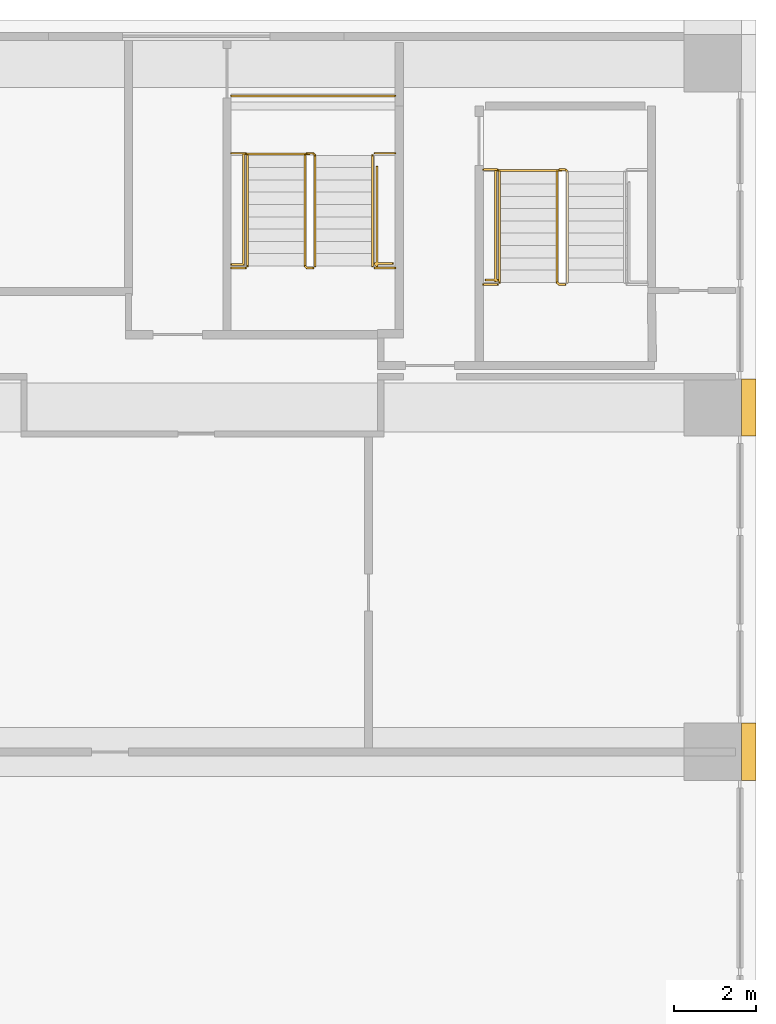
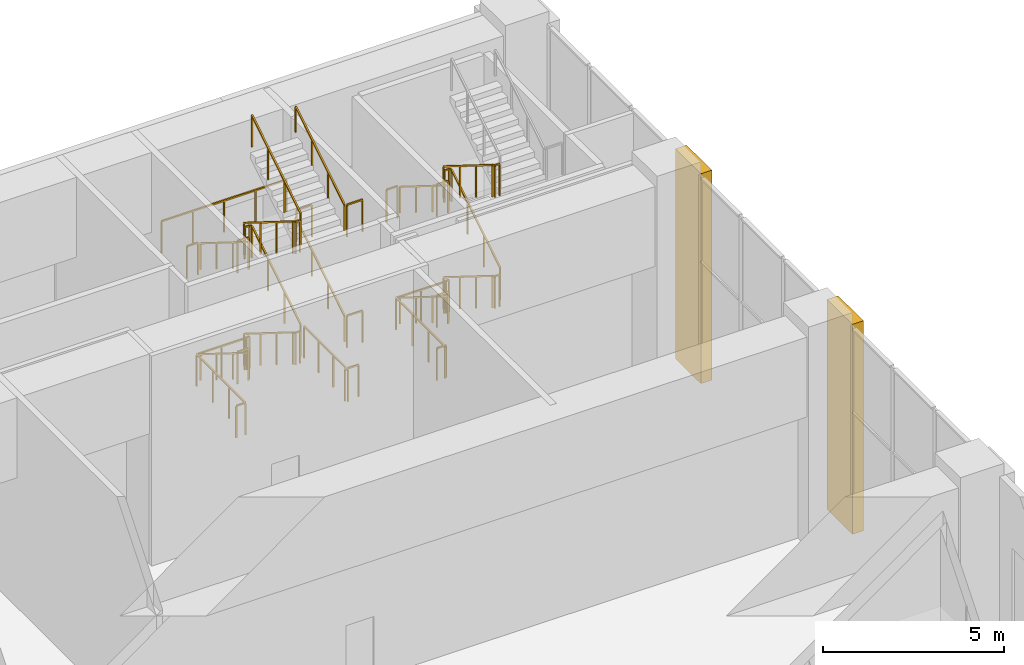
# One storey, part 28 of 29: 28 railings, 2 coverings.
"""IFC4 building model written with IfcOpenShell, lengths in metres."""

import ifcopenshell
import ifcopenshell.guid

model = None  # the IFC model being written
_history = None  # IfcOwnerHistory: only IFC2X3 demands one
_inside = {}  # id of a spatial element -> (the spatial element, [elements in it])
_under = {}  # id of a project, library or spatial element -> (it, [spatial elements below it])
_declared = {}  # id of a project -> (the project, [libraries it declares])
_typed = {}  # id of a type object -> (the type object, [elements of that type])
_made_of = {}  # id of a material, layer set ... -> (it, [elements and type objects made of it])


def new_model(schema):
    """Start an empty IFC model of exactly this schema.

    Asked for "IFC4X3", IfcOpenShell would pick the latest addendum, in which some entities
    have other attributes; the version numbers below select the first issue.
    IFC2X3 requires an IfcOwnerHistory on every rooted entity: one is made here for all.
    """
    global model, _history
    if schema == "IFC4X3":
        model = ifcopenshell.file(schema_version=(4, 3, 0, 0))
    else:
        model = ifcopenshell.file(schema=schema)
    _inside.clear()
    _under.clear()
    _declared.clear()
    _typed.clear()
    _made_of.clear()
    _history = None
    if model.schema == "IFC2X3":
        org = make("IfcOrganization", Name="unknown")
        user = make(
            "IfcPersonAndOrganization",
            ThePerson=make("IfcPerson", FamilyName="unknown"),
            TheOrganization=org,
        )
        app = make(
            "IfcApplication",
            ApplicationDeveloper=org,
            Version="unknown",
            ApplicationFullName="unknown",
            ApplicationIdentifier="unknown",
        )
        _history = make(
            "IfcOwnerHistory",
            OwningUser=user,
            OwningApplication=app,
            ChangeAction="ADDED",
            CreationDate=0,
        )
    return model


def make(cls, **values):
    """One entity of the class cls with the attributes given. An attribute that is None is left unset."""
    return model.create_entity(
        cls, **{name: value for name, value in values.items() if value is not None}
    )


def rooted(cls, **values):
    """An entity with a GlobalId (a new one), such as an element, a storey or a relation."""
    return make(cls, GlobalId=ifcopenshell.guid.new(), OwnerHistory=_history, **values)


def si_unit(unit_type, name, prefix=None):
    """IfcSIUnit, for example si_unit("LENGTHUNIT", "METRE", prefix="MILLI")."""
    return make("IfcSIUnit", UnitType=unit_type, Prefix=prefix, Name=name)


def assignment(units):
    """IfcUnitAssignment: the units of a project."""
    return None if units is None else make("IfcUnitAssignment", Units=units)


def point(xyz):
    """IfcCartesianPoint."""
    return None if xyz is None else make("IfcCartesianPoint", Coordinates=xyz)


def direction(xyz):
    """IfcDirection."""
    return None if xyz is None else make("IfcDirection", DirectionRatios=xyz)


def frame(location, z_axis=None, x_axis=None):
    """IfcAxis2Placement3D, a coordinate frame: its origin and axes. An axis left out is left unset."""
    return make(
        "IfcAxis2Placement3D",
        Location=point(location),
        Axis=direction(z_axis),
        RefDirection=direction(x_axis),
    )


def frame_2d(location, x_axis=None):
    """IfcAxis2Placement2D, a coordinate frame in the plane: its origin and x axis."""
    return make(
        "IfcAxis2Placement2D", Location=point(location), RefDirection=direction(x_axis)
    )


def origin():
    """The frame at (0, 0, 0) with its axes left unset."""
    return frame((0.0, 0.0, 0.0))


def origin_2d():
    """The frame at (0, 0) in the plane with its x axis left unset."""
    return frame_2d((0.0, 0.0))


def place(relative_to, where):
    """IfcLocalPlacement: puts the frame where relative to a parent placement (None: the world)."""
    return make(
        "IfcLocalPlacement", PlacementRelTo=relative_to, RelativePlacement=where
    )


def context(
    kind, dimensions, precision=None, world=None, true_north=None, identifier=None
):
    """IfcGeometricRepresentationContext, for example the 3D "Model" context."""
    return make(
        "IfcGeometricRepresentationContext",
        ContextIdentifier=identifier,
        ContextType=kind,
        CoordinateSpaceDimension=dimensions,
        Precision=precision,
        WorldCoordinateSystem=world,
        TrueNorth=true_north,
    )


def subcontext(parent, identifier, kind, view, scale=None):
    """IfcGeometricRepresentationSubContext, for example "Body" below "Model"."""
    return make(
        "IfcGeometricRepresentationSubContext",
        ContextIdentifier=identifier,
        ContextType=kind,
        ParentContext=parent,
        TargetScale=scale,
        TargetView=view,
    )


def project(units=None, contexts=None):
    """IfcProject with its units and contexts."""
    return rooted(
        "IfcProject",
        Name="project",
        RepresentationContexts=contexts,
        UnitsInContext=assignment(units),
    )


def spatial(cls, under=None, at=None, **own):
    """A site, building, storey or space (cls), placed at a placement, below another one or the project."""
    s = rooted(cls, ObjectPlacement=at, **own)
    if under is not None:
        _under.setdefault(under.id(), (under, []))[1].append(s)
    return s


def polyline(points):
    """IfcPolyline through the points."""
    return make("IfcPolyline", Points=[point(p) for p in points])


def profile(cls, at=None, kind="AREA", **sizes):
    """A parametric profile (cls). Its sizes go by their IFC names, for example OverallWidth=200.0."""
    return make(cls, ProfileType=kind, Position=at, **sizes)


def rectangle(**sizes):
    """IfcRectangleProfileDef."""
    return profile("IfcRectangleProfileDef", **sizes)


def outline(outer, holes=None, kind="AREA"):
    """IfcArbitraryClosedProfileDef: a profile drawn as a closed curve; with holes, ...WithVoids."""
    if holes is None:
        return make("IfcArbitraryClosedProfileDef", ProfileType=kind, OuterCurve=outer)
    return make(
        "IfcArbitraryProfileDefWithVoids",
        ProfileType=kind,
        OuterCurve=outer,
        InnerCurves=holes,
    )


def extrude(swept, where, along, depth):
    """IfcExtrudedAreaSolid: the profile swept, set in the frame where, extruded along a direction by depth."""
    return make(
        "IfcExtrudedAreaSolid",
        SweptArea=swept,
        Position=where,
        ExtrudedDirection=direction(along),
        Depth=depth,
    )


def shape(context_of_items, identifier, shape_type, items):
    """IfcShapeRepresentation: the items that make up one representation, for example the "Body"."""
    return make(
        "IfcShapeRepresentation",
        ContextOfItems=context_of_items,
        RepresentationIdentifier=identifier,
        RepresentationType=shape_type,
        Items=items,
    )


def material(Name=None, Category=None):
    """IfcMaterial."""
    return make("IfcMaterial", Name=Name, Category=Category)


def made_of(thing, what):
    """Note that an element or type object is made of a material, layer set ...; save() writes the relation."""
    if what is not None:
        _made_of.setdefault(what.id(), (what, []))[1].append(thing)
    return thing


def type_object(cls, material=None, **own):
    """A type object (cls), such as IfcWallType, which elements share."""
    return made_of(rooted(cls, **own), material)


def element(
    cls,
    number,
    at=None,
    inside=None,
    cuts=None,
    type_object=None,
    material=None,
    context=None,
    identifier="Body",
    shape_type=None,
    held_by="IfcProductDefinitionShape",
    body=None,
    shapes=None,
    **own,
):
    """One element of the class cls, such as IfcWall. Its Tag is "e" and its number.

    at: its placement. inside: the storey or other place that contains it. cuts: it is an
    opening in that element (IfcRelVoidsElement). A single representation is given by context,
    identifier, shape_type and body (its items); several are given by shapes. held_by: the class
    of the entity that holds the representations. save() writes the other relations.
    """
    e = rooted(cls, Tag="e%d" % number, ObjectPlacement=at, **own)
    if body is not None:
        shapes = [shape(context, identifier, shape_type, body)]
    if shapes is not None:
        e.Representation = make(held_by, Representations=shapes)
    if inside is not None:
        _inside.setdefault(inside.id(), (inside, []))[1].append(e)
    if cuts is not None:
        rooted(
            "IfcRelVoidsElement", RelatingBuildingElement=cuts, RelatedOpeningElement=e
        )
    if type_object is not None:
        _typed.setdefault(type_object.id(), (type_object, []))[1].append(e)
    return made_of(e, material)


def aggregate(whole, parts):
    """IfcRelAggregates: a whole, such as a stair, and the parts it consists of."""
    return rooted("IfcRelAggregates", RelatingObject=whole, RelatedObjects=parts)


def save(model, path):
    """Write the relations noted so far, then the file.

    IfcRelAggregates (storeys below a building ...), IfcRelContainedInSpatialStructure (elements
    in a storey), IfcRelDefinesByType, IfcRelAssociatesMaterial and IfcRelDeclares: one each for
    every whole, place, type object, material and project.
    """
    for whole, parts in _under.values():
        aggregate(whole, parts)
    for where, things in _inside.values():
        rooted(
            "IfcRelContainedInSpatialStructure",
            RelatedElements=things,
            RelatingStructure=where,
        )
    for kind, things in _typed.values():
        rooted("IfcRelDefinesByType", RelatedObjects=things, RelatingType=kind)
    for what, things in _made_of.values():
        rooted("IfcRelAssociatesMaterial", RelatedObjects=things, RelatingMaterial=what)
    for by, libraries in _declared.values():
        rooted("IfcRelDeclares", RelatingContext=by, RelatedDefinitions=libraries)
    model.write(path)


model = new_model("IFC4")

# Units and contexts
model_context = context("Model", 3, precision=1e-05, world=origin(), true_north=direction((0.0, 1.0)))
body_context = subcontext(model_context, "Body", "Model", "MODEL_VIEW")
ifc_project = project(units=[si_unit("LENGTHUNIT", "METRE"), si_unit("AREAUNIT", "SQUARE_METRE"), si_unit("VOLUMEUNIT", "CUBIC_METRE"), si_unit("PLANEANGLEUNIT", "RADIAN"), si_unit("MASSUNIT", "GRAM", prefix="KILO")], contexts=[model_context])

# Site, building, storey
site_placement = place(None, origin())
site = spatial("IfcSite", under=ifc_project, at=site_placement, CompositionType="ELEMENT")
building_placement = place(site_placement, origin())
building = spatial("IfcBuilding", under=site, at=building_placement, Name="Vermilion Ogive Tower", CompositionType="ELEMENT")
storey_placement = place(building_placement, frame((0.0, 0.0, 12.5)))
storey = spatial("IfcBuildingStorey", under=building, at=storey_placement, Name="L02", CompositionType="ELEMENT", Elevation=12.5)

# Railings
ifc_material_1 = material(Name="Steel S355 painted", Category="steel")
railing_type_1 = type_object("IfcRailingType", Name="Stair guard 1100", PredefinedType="GUARDRAIL", material=ifc_material_1)
railing_1_placement = place(storey_placement, frame((40.449951171875, 27.14990234375, 0.1875)))
element("IfcRailing", 1, at=railing_1_placement, inside=storey, type_object=railing_type_1, Name="L02 PS2 stair guard 1", PredefinedType="GUARDRAIL", context=body_context, shape_type="SweptSolid", body=[
    extrude(rectangle(XDim=0.048095703125, YDim=0.048095703125, at=origin_2d()), frame((0.0, 0.0, 1.076171875), z_axis=(0.0, -0.847993996163, 0.530005832488), x_axis=(1.0, 0.0, 0.0)), (0.0, 0.0, 1.0), 3.183837890625),
    extrude(rectangle(XDim=0.048095703125, YDim=0.048095703125, at=origin_2d()), frame((0.0, -2.699951171875, 2.763671875), z_axis=(0.707106781187, -0.707106781187, 0.0), x_axis=(0.707106781187, 0.707106781187, 0.0)), (0.0, 0.0, 1.0), 0.07080078125),
    extrude(rectangle(XDim=0.048095703125, YDim=0.048095703125, at=origin_2d()), frame((0.050048828125, -2.75, 2.763671875), z_axis=(1.0, 0.0, 0.0), x_axis=(0.0, 1.0, 0.0)), (0.0, 0.0, 1.0), 0.14990234375),
    extrude(rectangle(XDim=0.0419921875, YDim=0.0419921875, at=origin_2d()), origin(), (0.0, 0.0, 1.0), 1.052001953125),
    extrude(rectangle(XDim=0.0419921875, YDim=0.0419921875, at=origin_2d()), frame((0.0, -0.89990234375, 0.5625)), (0.0, 0.0, 1.0), 1.052001953125),
    extrude(rectangle(XDim=0.0419921875, YDim=0.0419921875, at=origin_2d()), frame((0.0, -1.800048828125, 1.125)), (0.0, 0.0, 1.0), 1.052001953125),
    extrude(rectangle(XDim=0.0419921875, YDim=0.0419921875, at=origin_2d()), frame((0.0, -2.699951171875, 1.6875)), (0.0, 0.0, 1.0), 1.052001953125),
    extrude(rectangle(XDim=0.0419921875, YDim=0.0419921875, at=origin_2d()), frame((0.050048828125, -2.75, 1.6875)), (0.0, 0.0, 1.0), 1.052001953125),
    extrude(rectangle(XDim=0.0419921875, YDim=0.0419921875, at=origin_2d()), frame((0.199951171875, -2.75, 1.6875)), (0.0, 0.0, 1.0), 1.052001953125),
])
railing_2_placement = place(storey_placement, frame((40.699951171875, 24.449951171875, 2.0625)))
element("IfcRailing", 2, at=railing_2_placement, inside=storey, type_object=railing_type_1, Name="L02 PS2 stair guard 3", PredefinedType="GUARDRAIL", context=body_context, shape_type="SweptSolid", body=[
    extrude(rectangle(XDim=0.048095703125, YDim=0.048095703125, at=origin_2d()), frame((0.0, 0.0, 1.076171875), z_axis=(0.0, 0.847993996163, 0.530005832488), x_axis=(-1.0, 0.0, 0.0)), (0.0, 0.0, 1.0), 3.183837890625),
    extrude(rectangle(XDim=0.048095703125, YDim=0.048095703125, at=origin_2d()), frame((0.0, 2.699951171875, 2.763671875), z_axis=(-0.707106781187, 0.707106781187, 0.0), x_axis=(-0.707106781187, -0.707106781187, 0.0)), (0.0, 0.0, 1.0), 0.07080078125),
    extrude(rectangle(XDim=0.048095703125, YDim=0.048095703125, at=origin_2d()), frame((-0.050048828125, 2.75, 2.763671875), z_axis=(-1.0, 0.0, 0.0), x_axis=(0.0, -1.0, 0.0)), (0.0, 0.0, 1.0), 0.14990234375),
    extrude(rectangle(XDim=0.0419921875, YDim=0.0419921875, at=origin_2d()), origin(), (0.0, 0.0, 1.0), 1.052001953125),
    extrude(rectangle(XDim=0.0419921875, YDim=0.0419921875, at=origin_2d()), frame((0.0, 0.89990234375, 0.5625)), (0.0, 0.0, 1.0), 1.052001953125),
    extrude(rectangle(XDim=0.0419921875, YDim=0.0419921875, at=origin_2d()), frame((0.0, 1.800048828125, 1.125)), (0.0, 0.0, 1.0), 1.052001953125),
    extrude(rectangle(XDim=0.0419921875, YDim=0.0419921875, at=origin_2d()), frame((0.0, 2.699951171875, 1.6875)), (0.0, 0.0, 1.0), 1.052001953125),
    extrude(rectangle(XDim=0.0419921875, YDim=0.0419921875, at=origin_2d()), frame((-0.050048828125, 2.75, 1.6875)), (0.0, 0.0, 1.0), 1.052001953125),
    extrude(rectangle(XDim=0.0419921875, YDim=0.0419921875, at=origin_2d()), frame((-0.199951171875, 2.75, 1.6875)), (0.0, 0.0, 1.0), 1.052001953125),
])
railing_3_placement = place(storey_placement, frame((40.449951171875, 27.14990234375, 3.9375)))
element("IfcRailing", 3, at=railing_3_placement, inside=storey, type_object=railing_type_1, Name="L02 PS2 stair guard 5", PredefinedType="GUARDRAIL", context=body_context, shape_type="SweptSolid", body=[
    extrude(rectangle(XDim=0.048095703125, YDim=0.048095703125, at=origin_2d()), frame((0.0, 0.0, 1.076171875), z_axis=(0.0, -0.847993996163, 0.530005832488), x_axis=(1.0, 0.0, 0.0)), (0.0, 0.0, 1.0), 3.183837890625),
    extrude(rectangle(XDim=0.048095703125, YDim=0.048095703125, at=origin_2d()), frame((0.0, -2.699951171875, 2.763671875), z_axis=(0.707106781187, -0.707106781187, 0.0), x_axis=(0.707106781187, 0.707106781187, 0.0)), (0.0, 0.0, 1.0), 0.07080078125),
    extrude(rectangle(XDim=0.048095703125, YDim=0.048095703125, at=origin_2d()), frame((0.050048828125, -2.75, 2.763671875), z_axis=(1.0, 0.0, 0.0), x_axis=(0.0, 1.0, 0.0)), (0.0, 0.0, 1.0), 0.14990234375),
    extrude(rectangle(XDim=0.0419921875, YDim=0.0419921875, at=origin_2d()), origin(), (0.0, 0.0, 1.0), 1.052001953125),
    extrude(rectangle(XDim=0.0419921875, YDim=0.0419921875, at=origin_2d()), frame((0.0, -0.89990234375, 0.5625)), (0.0, 0.0, 1.0), 1.052001953125),
    extrude(rectangle(XDim=0.0419921875, YDim=0.0419921875, at=origin_2d()), frame((0.0, -1.800048828125, 1.125)), (0.0, 0.0, 1.0), 1.052001953125),
    extrude(rectangle(XDim=0.0419921875, YDim=0.0419921875, at=origin_2d()), frame((0.0, -2.699951171875, 1.6875)), (0.0, 0.0, 1.0), 1.052001953125),
    extrude(rectangle(XDim=0.0419921875, YDim=0.0419921875, at=origin_2d()), frame((0.050048828125, -2.75, 1.6875)), (0.0, 0.0, 1.0), 1.052001953125),
    extrude(rectangle(XDim=0.0419921875, YDim=0.0419921875, at=origin_2d()), frame((0.199951171875, -2.75, 1.6875)), (0.0, 0.0, 1.0), 1.052001953125),
])
railing_4_placement = place(storey_placement, frame((40.699951171875, 24.449951171875, 5.8125)))
element("IfcRailing", 4, at=railing_4_placement, inside=storey, type_object=railing_type_1, Name="L02 PS2 stair guard 7", PredefinedType="GUARDRAIL", context=body_context, shape_type="SweptSolid", body=[
    extrude(rectangle(XDim=0.048095703125, YDim=0.048095703125, at=origin_2d()), frame((0.0, 0.0, 1.076171875), z_axis=(0.0, 0.847993996163, 0.530005832488), x_axis=(-1.0, 0.0, 0.0)), (0.0, 0.0, 1.0), 3.183837890625),
    extrude(rectangle(XDim=0.0419921875, YDim=0.0419921875, at=origin_2d()), origin(), (0.0, 0.0, 1.0), 1.052001953125),
    extrude(rectangle(XDim=0.0419921875, YDim=0.0419921875, at=origin_2d()), frame((0.0, 0.89990234375, 0.5625)), (0.0, 0.0, 1.0), 1.052001953125),
    extrude(rectangle(XDim=0.0419921875, YDim=0.0419921875, at=origin_2d()), frame((0.0, 1.800048828125, 1.125)), (0.0, 0.0, 1.0), 1.052001953125),
    extrude(rectangle(XDim=0.0419921875, YDim=0.0419921875, at=origin_2d()), frame((0.0, 2.699951171875, 1.6875)), (0.0, 0.0, 1.0), 1.052001953125),
])
railing_5_placement = place(storey_placement, frame((40.5, 27.199951171875, 0.0)))
element("IfcRailing", 5, at=railing_5_placement, inside=storey, type_object=railing_type_1, Name="L02 PS2 stair guard 8", PredefinedType="GUARDRAIL", context=body_context, shape_type="SweptSolid", body=[
    extrude(rectangle(XDim=0.048095703125, YDim=0.048095703125, at=origin_2d()), frame((0.0, 0.0, 1.076171875), z_axis=(1.0, 0.0, 0.0), x_axis=(0.0, 1.0, 0.0)), (0.0, 0.0, 1.0), 0.14990234375),
    extrude(rectangle(XDim=0.0419921875, YDim=0.0419921875, at=origin_2d()), origin(), (0.0, 0.0, 1.0), 1.052001953125),
    extrude(rectangle(XDim=0.0419921875, YDim=0.0419921875, at=origin_2d()), frame((0.14990234375, 0.0, 0.0)), (0.0, 0.0, 1.0), 1.052001953125),
])
railing_6_placement = place(storey_placement, frame((46.60009765625, 26.75, 0.1875)))
element("IfcRailing", 6, at=railing_6_placement, inside=storey, type_object=railing_type_1, Name="L02 PEN stair guard 1", PredefinedType="GUARDRAIL", context=body_context, shape_type="SweptSolid", body=[
    extrude(rectangle(XDim=0.048095703125, YDim=0.048095703125, at=origin_2d()), frame((0.0, 0.0, 1.076171875), z_axis=(0.0, -0.847993996163, 0.530005832488), x_axis=(1.0, 0.0, 0.0)), (0.0, 0.0, 1.0), 3.183837890625),
    extrude(rectangle(XDim=0.048095703125, YDim=0.048095703125, at=origin_2d()), frame((0.0, -2.699951171875, 2.763671875), z_axis=(0.705375805398, -0.708833529934, 0.0), x_axis=(0.708833529934, 0.705375805398, 0.0)), (0.0, 0.0, 1.0), 0.070556640625),
    extrude(rectangle(XDim=0.048095703125, YDim=0.048095703125, at=origin_2d()), frame((0.0498046875, -2.75, 2.763671875), z_axis=(1.0, 0.0, 0.0), x_axis=(0.0, 1.0, 0.0)), (0.0, 0.0, 1.0), 0.150146484375),
    extrude(rectangle(XDim=0.0419921875, YDim=0.0419921875, at=origin_2d()), origin(), (0.0, 0.0, 1.0), 1.052001953125),
    extrude(rectangle(XDim=0.0419921875, YDim=0.0419921875, at=origin_2d()), frame((0.0, -0.89990234375, 0.5625)), (0.0, 0.0, 1.0), 1.052001953125),
    extrude(rectangle(XDim=0.0419921875, YDim=0.0419921875, at=origin_2d()), frame((0.0, -1.800048828125, 1.125)), (0.0, 0.0, 1.0), 1.052001953125),
    extrude(rectangle(XDim=0.0419921875, YDim=0.0419921875, at=origin_2d()), frame((0.0, -2.699951171875, 1.6875)), (0.0, 0.0, 1.0), 1.052001953125),
    extrude(rectangle(XDim=0.0419921875, YDim=0.0419921875, at=origin_2d()), frame((0.0498046875, -2.75, 1.6875)), (0.0, 0.0, 1.0), 1.052001953125),
    extrude(rectangle(XDim=0.0419921875, YDim=0.0419921875, at=origin_2d()), frame((0.199951171875, -2.75, 1.6875)), (0.0, 0.0, 1.0), 1.052001953125),
])
railing_7_placement = place(storey_placement, frame((46.85009765625, 24.050048828125, 2.0625)))
element("IfcRailing", 7, at=railing_7_placement, inside=storey, type_object=railing_type_1, Name="L02 PEN stair guard 3", PredefinedType="GUARDRAIL", context=body_context, shape_type="SweptSolid", body=[
    extrude(rectangle(XDim=0.048095703125, YDim=0.048095703125, at=origin_2d()), frame((0.0, 0.0, 1.076171875), z_axis=(0.0, 0.847993996163, 0.530005832488), x_axis=(-1.0, 0.0, 0.0)), (0.0, 0.0, 1.0), 3.183837890625),
    extrude(rectangle(XDim=0.048095703125, YDim=0.048095703125, at=origin_2d()), frame((0.0, 2.699951171875, 2.763671875), z_axis=(-0.707106781187, 0.707106781187, 0.0), x_axis=(-0.707106781187, -0.707106781187, 0.0)), (0.0, 0.0, 1.0), 0.07080078125),
    extrude(rectangle(XDim=0.048095703125, YDim=0.048095703125, at=origin_2d()), frame((-0.050048828125, 2.75, 2.763671875), z_axis=(-1.0, 0.0, 0.0), x_axis=(0.0, -1.0, 0.0)), (0.0, 0.0, 1.0), 0.150146484375),
    extrude(rectangle(XDim=0.0419921875, YDim=0.0419921875, at=origin_2d()), origin(), (0.0, 0.0, 1.0), 1.052001953125),
    extrude(rectangle(XDim=0.0419921875, YDim=0.0419921875, at=origin_2d()), frame((0.0, 0.89990234375, 0.5625)), (0.0, 0.0, 1.0), 1.052001953125),
    extrude(rectangle(XDim=0.0419921875, YDim=0.0419921875, at=origin_2d()), frame((0.0, 1.800048828125, 1.125)), (0.0, 0.0, 1.0), 1.052001953125),
    extrude(rectangle(XDim=0.0419921875, YDim=0.0419921875, at=origin_2d()), frame((0.0, 2.699951171875, 1.6875)), (0.0, 0.0, 1.0), 1.052001953125),
    extrude(rectangle(XDim=0.0419921875, YDim=0.0419921875, at=origin_2d()), frame((-0.050048828125, 2.75, 1.6875)), (0.0, 0.0, 1.0), 1.052001953125),
    extrude(rectangle(XDim=0.0419921875, YDim=0.0419921875, at=origin_2d()), frame((-0.2001953125, 2.75, 1.6875)), (0.0, 0.0, 1.0), 1.052001953125),
])
railing_8_placement = place(storey_placement, frame((46.60009765625, 26.75, 3.9375)))
element("IfcRailing", 8, at=railing_8_placement, inside=storey, type_object=railing_type_1, Name="L02 PEN stair guard 5", PredefinedType="GUARDRAIL", context=body_context, shape_type="SweptSolid", body=[
    extrude(rectangle(XDim=0.048095703125, YDim=0.048095703125, at=origin_2d()), frame((0.0, 0.0, 1.076171875), z_axis=(0.0, -0.847993996163, 0.530005832488), x_axis=(1.0, 0.0, 0.0)), (0.0, 0.0, 1.0), 3.183837890625),
    extrude(rectangle(XDim=0.048095703125, YDim=0.048095703125, at=origin_2d()), frame((0.0, -2.699951171875, 2.763671875), z_axis=(0.705375805398, -0.708833529934, 0.0), x_axis=(0.708833529934, 0.705375805398, 0.0)), (0.0, 0.0, 1.0), 0.070556640625),
    extrude(rectangle(XDim=0.048095703125, YDim=0.048095703125, at=origin_2d()), frame((0.0498046875, -2.75, 2.763671875), z_axis=(1.0, 0.0, 0.0), x_axis=(0.0, 1.0, 0.0)), (0.0, 0.0, 1.0), 0.150146484375),
    extrude(rectangle(XDim=0.0419921875, YDim=0.0419921875, at=origin_2d()), origin(), (0.0, 0.0, 1.0), 1.052001953125),
    extrude(rectangle(XDim=0.0419921875, YDim=0.0419921875, at=origin_2d()), frame((0.0, -0.89990234375, 0.5625)), (0.0, 0.0, 1.0), 1.052001953125),
    extrude(rectangle(XDim=0.0419921875, YDim=0.0419921875, at=origin_2d()), frame((0.0, -1.800048828125, 1.125)), (0.0, 0.0, 1.0), 1.052001953125),
    extrude(rectangle(XDim=0.0419921875, YDim=0.0419921875, at=origin_2d()), frame((0.0, -2.699951171875, 1.6875)), (0.0, 0.0, 1.0), 1.052001953125),
    extrude(rectangle(XDim=0.0419921875, YDim=0.0419921875, at=origin_2d()), frame((0.0498046875, -2.75, 1.6875)), (0.0, 0.0, 1.0), 1.052001953125),
    extrude(rectangle(XDim=0.0419921875, YDim=0.0419921875, at=origin_2d()), frame((0.199951171875, -2.75, 1.6875)), (0.0, 0.0, 1.0), 1.052001953125),
])
railing_9_placement = place(storey_placement, frame((46.64990234375, 26.800048828125, 0.0)))
element("IfcRailing", 9, at=railing_9_placement, inside=storey, type_object=railing_type_1, Name="L02 PEN stair guard 8", PredefinedType="GUARDRAIL", context=body_context, shape_type="SweptSolid", body=[
    extrude(rectangle(XDim=0.048095703125, YDim=0.048095703125, at=origin_2d()), frame((0.0, 0.0, 1.076171875), z_axis=(1.0, 0.0, 0.0), x_axis=(0.0, 1.0, 0.0)), (0.0, 0.0, 1.0), 0.150146484375),
    extrude(rectangle(XDim=0.0419921875, YDim=0.0419921875, at=origin_2d()), origin(), (0.0, 0.0, 1.0), 1.052001953125),
    extrude(rectangle(XDim=0.0419921875, YDim=0.0419921875, at=origin_2d()), frame((0.150146484375, 0.0, 0.0)), (0.0, 0.0, 1.0), 1.052001953125),
])
railing_10_placement = place(storey_placement, frame((38.650146484375, 24.39990234375, 1.875)))
element("IfcRailing", 10, at=railing_10_placement, inside=storey, type_object=railing_type_1, Name="L02 landing guard", PredefinedType="GUARDRAIL", context=body_context, shape_type="SweptSolid", body=[
    extrude(rectangle(XDim=0.048095703125, YDim=0.048095703125, at=origin_2d()), frame((0.0, 0.0, 1.076171875), z_axis=(1.0, 0.0, 0.0), x_axis=(0.0, 1.0, 0.0)), (0.0, 0.0, 1.0), 0.349853515625),
    extrude(rectangle(XDim=0.0419921875, YDim=0.0419921875, at=origin_2d()), origin(), (0.0, 0.0, 1.0), 1.052001953125),
    extrude(rectangle(XDim=0.0419921875, YDim=0.0419921875, at=origin_2d()), frame((0.349853515625, 0.0, 0.0)), (0.0, 0.0, 1.0), 1.052001953125),
])
railing_11_placement = place(storey_placement, frame((42.14990234375, 24.39990234375, 1.875)))
element("IfcRailing", 11, at=railing_11_placement, inside=storey, type_object=railing_type_1, Name="L02 landing guard", PredefinedType="GUARDRAIL", context=body_context, shape_type="SweptSolid", body=[
    extrude(rectangle(XDim=0.048095703125, YDim=0.048095703125, at=origin_2d()), frame((0.0, 0.0, 1.076171875), z_axis=(1.0, 0.0, 0.0), x_axis=(0.0, 1.0, 0.0)), (0.0, 0.0, 1.0), 0.5),
    extrude(rectangle(XDim=0.0419921875, YDim=0.0419921875, at=origin_2d()), origin(), (0.0, 0.0, 1.0), 1.052001953125),
    extrude(rectangle(XDim=0.0419921875, YDim=0.0419921875, at=origin_2d()), frame((0.5, 0.0, 0.0)), (0.0, 0.0, 1.0), 1.052001953125),
])
railing_12_placement = place(storey_placement, frame((38.650146484375, 28.60009765625, 3.75)))
element("IfcRailing", 12, at=railing_12_placement, inside=storey, type_object=railing_type_1, Name="L02 landing guard", PredefinedType="GUARDRAIL", context=body_context, shape_type="SweptSolid", body=[
    extrude(rectangle(XDim=0.048095703125, YDim=0.048095703125, at=origin_2d()), frame((0.0, 0.0, 1.076171875), z_axis=(1.0, 0.0, 0.0), x_axis=(0.0, 1.0, 0.0)), (0.0, 0.0, 1.0), 3.999755859375),
    extrude(rectangle(XDim=0.0419921875, YDim=0.0419921875, at=origin_2d()), origin(), (0.0, 0.0, 1.0), 1.052001953125),
    extrude(rectangle(XDim=0.0419921875, YDim=0.0419921875, at=origin_2d()), frame((1.0, 0.0, 0.0)), (0.0, 0.0, 1.0), 1.052001953125),
    extrude(rectangle(XDim=0.0419921875, YDim=0.0419921875, at=origin_2d()), frame((2.0, 0.0, 0.0)), (0.0, 0.0, 1.0), 1.052001953125),
    extrude(rectangle(XDim=0.0419921875, YDim=0.0419921875, at=origin_2d()), frame((2.999755859375, 0.0, 0.0)), (0.0, 0.0, 1.0), 1.052001953125),
    extrude(rectangle(XDim=0.0419921875, YDim=0.0419921875, at=origin_2d()), frame((3.999755859375, 0.0, 0.0)), (0.0, 0.0, 1.0), 1.052001953125),
])
railing_13_placement = place(storey_placement, frame((38.650146484375, 27.199951171875, 3.75)))
element("IfcRailing", 13, at=railing_13_placement, inside=storey, type_object=railing_type_1, Name="L02 landing guard", PredefinedType="GUARDRAIL", context=body_context, shape_type="SweptSolid", body=[
    extrude(rectangle(XDim=0.048095703125, YDim=0.048095703125, at=origin_2d()), frame((0.0, 0.0, 1.076171875), z_axis=(1.0, 0.0, 0.0), x_axis=(0.0, 1.0, 0.0)), (0.0, 0.0, 1.0), 0.349853515625),
    extrude(rectangle(XDim=0.0419921875, YDim=0.0419921875, at=origin_2d()), origin(), (0.0, 0.0, 1.0), 1.052001953125),
    extrude(rectangle(XDim=0.0419921875, YDim=0.0419921875, at=origin_2d()), frame((0.349853515625, 0.0, 0.0)), (0.0, 0.0, 1.0), 1.052001953125),
])
railing_14_placement = place(storey_placement, frame((42.14990234375, 27.199951171875, 3.75)))
element("IfcRailing", 14, at=railing_14_placement, inside=storey, type_object=railing_type_1, Name="L02 landing guard", PredefinedType="GUARDRAIL", context=body_context, shape_type="SweptSolid", body=[
    extrude(rectangle(XDim=0.048095703125, YDim=0.048095703125, at=origin_2d()), frame((0.0, 0.0, 1.076171875), z_axis=(1.0, 0.0, 0.0), x_axis=(0.0, 1.0, 0.0)), (0.0, 0.0, 1.0), 0.5),
    extrude(rectangle(XDim=0.0419921875, YDim=0.0419921875, at=origin_2d()), origin(), (0.0, 0.0, 1.0), 1.052001953125),
    extrude(rectangle(XDim=0.0419921875, YDim=0.0419921875, at=origin_2d()), frame((0.5, 0.0, 0.0)), (0.0, 0.0, 1.0), 1.052001953125),
])
railing_15_placement = place(storey_placement, frame((38.650146484375, 24.39990234375, 5.625)))
element("IfcRailing", 15, at=railing_15_placement, inside=storey, type_object=railing_type_1, Name="L02 landing guard", PredefinedType="GUARDRAIL", context=body_context, shape_type="SweptSolid", body=[
    extrude(rectangle(XDim=0.048095703125, YDim=0.048095703125, at=origin_2d()), frame((0.0, 0.0, 1.076171875), z_axis=(1.0, 0.0, 0.0), x_axis=(0.0, 1.0, 0.0)), (0.0, 0.0, 1.0), 0.349853515625),
    extrude(rectangle(XDim=0.0419921875, YDim=0.0419921875, at=origin_2d()), origin(), (0.0, 0.0, 1.0), 1.052001953125),
    extrude(rectangle(XDim=0.0419921875, YDim=0.0419921875, at=origin_2d()), frame((0.349853515625, 0.0, 0.0)), (0.0, 0.0, 1.0), 1.052001953125),
])
railing_16_placement = place(storey_placement, frame((42.14990234375, 24.39990234375, 5.625)))
element("IfcRailing", 16, at=railing_16_placement, inside=storey, type_object=railing_type_1, Name="L02 landing guard", PredefinedType="GUARDRAIL", context=body_context, shape_type="SweptSolid", body=[
    extrude(rectangle(XDim=0.048095703125, YDim=0.048095703125, at=origin_2d()), frame((0.0, 0.0, 1.076171875), z_axis=(1.0, 0.0, 0.0), x_axis=(0.0, 1.0, 0.0)), (0.0, 0.0, 1.0), 0.5),
    extrude(rectangle(XDim=0.0419921875, YDim=0.0419921875, at=origin_2d()), origin(), (0.0, 0.0, 1.0), 1.052001953125),
    extrude(rectangle(XDim=0.0419921875, YDim=0.0419921875, at=origin_2d()), frame((0.5, 0.0, 0.0)), (0.0, 0.0, 1.0), 1.052001953125),
])
for number, where, name in (
    (17, (44.800048828125, 24.0, 1.875), "L02 landing guard"),
    (18, (44.800048828125, 26.800048828125, 3.75), "L02 landing guard"),
    (19, (44.800048828125, 24.0, 5.625), "L02 landing guard"),
):
    element("IfcRailing", number, at=place(storey_placement, frame(where)), inside=storey, type_object=railing_type_1, Name=name, PredefinedType="GUARDRAIL", context=body_context, shape_type="SweptSolid", body=[
        extrude(rectangle(XDim=0.048095703125, YDim=0.048095703125, at=origin_2d()), frame((0.0, 0.0, 1.076171875), z_axis=(1.0, 0.0, 0.0), x_axis=(0.0, 1.0, 0.0)), (0.0, 0.0, 1.0), 0.349853515625),
        extrude(rectangle(XDim=0.0419921875, YDim=0.0419921875, at=origin_2d()), origin(), (0.0, 0.0, 1.0), 1.052001953125),
        extrude(rectangle(XDim=0.0419921875, YDim=0.0419921875, at=origin_2d()), frame((0.349853515625, 0.0, 0.0)), (0.0, 0.0, 1.0), 1.052001953125),
    ])
railing_17_placement = place(storey_placement, frame((38.660888671875, 24.484375, 0.0)))
element("IfcRailing", 20, at=railing_17_placement, inside=storey, type_object=railing_type_1, Name="L02 stair opening guard", PredefinedType="GUARDRAIL", context=body_context, shape_type="SweptSolid", body=[
    extrude(rectangle(XDim=0.048095703125, YDim=0.048095703125, at=origin_2d()), frame((0.0, 0.0, 1.076171875), z_axis=(1.0, 0.0, 0.0), x_axis=(0.0, 1.0, 0.0)), (0.0, 0.0, 1.0), 0.289794921875),
    extrude(rectangle(XDim=0.048095703125, YDim=0.048095703125, at=origin_2d()), frame((0.289794921875, 0.0, 1.076171875), z_axis=(0.0, 1.0, 0.0), x_axis=(-1.0, 0.0, 0.0)), (0.0, 0.0, 1.0), 2.699951171875),
    extrude(rectangle(XDim=0.048095703125, YDim=0.048095703125, at=origin_2d()), frame((0.289794921875, 2.699951171875, 1.076171875), z_axis=(1.0, 0.0, 0.0), x_axis=(0.0, 1.0, 0.0)), (0.0, 0.0, 1.0), 1.60009765625),
    extrude(rectangle(XDim=0.0419921875, YDim=0.0419921875, at=origin_2d()), origin(), (0.0, 0.0, 1.0), 1.052001953125),
    extrude(rectangle(XDim=0.0419921875, YDim=0.0419921875, at=origin_2d()), frame((0.289794921875, 0.0, 0.0)), (0.0, 0.0, 1.0), 1.052001953125),
    extrude(rectangle(XDim=0.0419921875, YDim=0.0419921875, at=origin_2d()), frame((0.289794921875, 0.89990234375, 0.0)), (0.0, 0.0, 1.0), 1.052001953125),
    extrude(rectangle(XDim=0.0419921875, YDim=0.0419921875, at=origin_2d()), frame((0.289794921875, 1.800048828125, 0.0)), (0.0, 0.0, 1.0), 1.052001953125),
    extrude(rectangle(XDim=0.0419921875, YDim=0.0419921875, at=origin_2d()), frame((0.289794921875, 2.699951171875, 0.0)), (0.0, 0.0, 1.0), 1.052001953125),
    extrude(rectangle(XDim=0.0419921875, YDim=0.0419921875, at=origin_2d()), frame((1.08984375, 2.699951171875, 0.0)), (0.0, 0.0, 1.0), 1.052001953125),
    extrude(rectangle(XDim=0.0419921875, YDim=0.0419921875, at=origin_2d()), frame((1.889892578125, 2.699951171875, 0.0)), (0.0, 0.0, 1.0), 1.052001953125),
])
railing_18_placement = place(storey_placement, frame((42.2099609375, 26.8740234375, 0.0)))
element("IfcRailing", 21, at=railing_18_placement, inside=storey, type_object=railing_type_1, Name="L02 stair opening guard", PredefinedType="GUARDRAIL", context=body_context, shape_type="SweptSolid", body=[
    extrude(rectangle(XDim=0.048095703125, YDim=0.048095703125, at=origin_2d()), frame((0.0, 0.0, 1.076171875), z_axis=(0.0, -1.0, 0.0), x_axis=(1.0, 0.0, 0.0)), (0.0, 0.0, 1.0), 2.424072265625),
    extrude(rectangle(XDim=0.048095703125, YDim=0.048095703125, at=origin_2d()), frame((0.0, -2.424072265625, 1.076171875), z_axis=(-0.707106781187, 0.707106781187, 0.0), x_axis=(-0.707106781187, -0.707106781187, 0.0)), (0.0, 0.0, 1.0), 0.0849609375),
    extrude(rectangle(XDim=0.048095703125, YDim=0.048095703125, at=origin_2d()), frame((-0.06005859375, -2.364013671875, 1.076171875), z_axis=(1.0, 0.0, 0.0), x_axis=(0.0, 1.0, 0.0)), (0.0, 0.0, 1.0), 0.440185546875),
    extrude(rectangle(XDim=0.0419921875, YDim=0.0419921875, at=origin_2d()), origin(), (0.0, 0.0, 1.0), 1.052001953125),
    extrude(rectangle(XDim=0.0419921875, YDim=0.0419921875, at=origin_2d()), frame((0.0, -0.80810546875, 0.0)), (0.0, 0.0, 1.0), 1.052001953125),
    extrude(rectangle(XDim=0.0419921875, YDim=0.0419921875, at=origin_2d()), frame((0.0, -1.615966796875, 0.0)), (0.0, 0.0, 1.0), 1.052001953125),
    extrude(rectangle(XDim=0.0419921875, YDim=0.0419921875, at=origin_2d()), frame((0.0, -2.424072265625, 0.0)), (0.0, 0.0, 1.0), 1.052001953125),
    extrude(rectangle(XDim=0.0419921875, YDim=0.0419921875, at=origin_2d()), frame((-0.06005859375, -2.364013671875, 0.0)), (0.0, 0.0, 1.0), 1.052001953125),
    extrude(rectangle(XDim=0.0419921875, YDim=0.0419921875, at=origin_2d()), frame((0.380126953125, -2.364013671875, 0.0)), (0.0, 0.0, 1.0), 1.052001953125),
])
railing_19_placement = place(storey_placement, frame((44.860107421875, 24.110107421875, 0.0)))
element("IfcRailing", 22, at=railing_19_placement, inside=storey, type_object=railing_type_1, Name="L02 stair opening guard", PredefinedType="GUARDRAIL", context=body_context, shape_type="SweptSolid", body=[
    extrude(rectangle(XDim=0.048095703125, YDim=0.048095703125, at=origin_2d()), frame((0.0, 0.0, 1.076171875), z_axis=(1.0, 0.0, 0.0), x_axis=(0.0, 1.0, 0.0)), (0.0, 0.0, 1.0), 0.289794921875),
    extrude(rectangle(XDim=0.048095703125, YDim=0.048095703125, at=origin_2d()), frame((0.289794921875, 0.0, 1.076171875), z_axis=(-0.867483117918, -0.497466622124, 0.0), x_axis=(0.497466622124, -0.867483117918, 0.0)), (0.0, 0.0, 1.0), 0.059326171875),
    extrude(rectangle(XDim=0.048095703125, YDim=0.048095703125, at=origin_2d()), frame((0.23828125, -0.029541015625, 1.076171875), z_axis=(0.0, 1.0, 0.0), x_axis=(-1.0, 0.0, 0.0)), (0.0, 0.0, 1.0), 2.699951171875),
    extrude(rectangle(XDim=0.048095703125, YDim=0.048095703125, at=origin_2d()), frame((0.23828125, 2.67041015625, 1.076171875), z_axis=(1.0, 0.0, 0.0), x_axis=(0.0, 1.0, 0.0)), (0.0, 0.0, 1.0), 1.60009765625),
    extrude(rectangle(XDim=0.0419921875, YDim=0.0419921875, at=origin_2d()), origin(), (0.0, 0.0, 1.0), 1.052001953125),
    extrude(rectangle(XDim=0.0419921875, YDim=0.0419921875, at=origin_2d()), frame((0.289794921875, 0.0, 0.0)), (0.0, 0.0, 1.0), 1.052001953125),
    extrude(rectangle(XDim=0.0419921875, YDim=0.0419921875, at=origin_2d()), frame((0.23828125, -0.029541015625, 0.0)), (0.0, 0.0, 1.0), 1.052001953125),
    extrude(rectangle(XDim=0.0419921875, YDim=0.0419921875, at=origin_2d()), frame((0.23828125, 0.870361328125, 0.0)), (0.0, 0.0, 1.0), 1.052001953125),
    extrude(rectangle(XDim=0.0419921875, YDim=0.0419921875, at=origin_2d()), frame((0.23828125, 1.7705078125, 0.0)), (0.0, 0.0, 1.0), 1.052001953125),
    extrude(rectangle(XDim=0.0419921875, YDim=0.0419921875, at=origin_2d()), frame((0.23828125, 2.67041015625, 0.0)), (0.0, 0.0, 1.0), 1.052001953125),
    extrude(rectangle(XDim=0.0419921875, YDim=0.0419921875, at=origin_2d()), frame((1.038330078125, 2.67041015625, 0.0)), (0.0, 0.0, 1.0), 1.052001953125),
    extrude(rectangle(XDim=0.0419921875, YDim=0.0419921875, at=origin_2d()), frame((1.83837890625, 2.67041015625, 0.0)), (0.0, 0.0, 1.0), 1.052001953125),
])
ifc_material_2 = material(Name="Stainless steel", Category="steel")
railing_type_2 = type_object("IfcRailingType", Name="Stair handrail 900", PredefinedType="HANDRAIL", material=ifc_material_2)
railing_20_placement = place(storey_placement, frame((39.050048828125, 27.14990234375, 0.1875)))
element("IfcRailing", 23, at=railing_20_placement, inside=storey, type_object=railing_type_2, Name="L02 PS2 stair handrail 1", PredefinedType="HANDRAIL", context=body_context, shape_type="SweptSolid", body=[
    extrude(rectangle(XDim=0.048095703125, YDim=0.048095703125, at=origin_2d()), frame((0.0, 0.0, 0.8759765625), z_axis=(0.0, -0.847993996163, 0.530005832488), x_axis=(1.0, 0.0, 0.0)), (0.0, 0.0, 1.0), 3.183837890625),
    extrude(rectangle(XDim=0.0419921875, YDim=0.0419921875, at=origin_2d()), origin(), (0.0, 0.0, 1.0), 0.851806640625),
    extrude(rectangle(XDim=0.0419921875, YDim=0.0419921875, at=origin_2d()), frame((0.0, -0.89990234375, 0.5625)), (0.0, 0.0, 1.0), 0.851806640625),
    extrude(rectangle(XDim=0.0419921875, YDim=0.0419921875, at=origin_2d()), frame((0.0, -1.800048828125, 1.125)), (0.0, 0.0, 1.0), 0.851806640625),
    extrude(rectangle(XDim=0.0419921875, YDim=0.0419921875, at=origin_2d()), frame((0.0, -2.699951171875, 1.6875)), (0.0, 0.0, 1.0), 0.851806640625),
])
railing_21_placement = place(storey_placement, frame((42.10009765625, 24.449951171875, 2.0625)))
element("IfcRailing", 24, at=railing_21_placement, inside=storey, type_object=railing_type_2, Name="L02 PS2 stair handrail 2", PredefinedType="HANDRAIL", context=body_context, shape_type="SweptSolid", body=[
    extrude(rectangle(XDim=0.048095703125, YDim=0.048095703125, at=origin_2d()), frame((0.0, 0.0, 0.8759765625), z_axis=(0.0, 0.847993996163, 0.530005832488), x_axis=(-1.0, 0.0, 0.0)), (0.0, 0.0, 1.0), 3.183837890625),
    extrude(rectangle(XDim=0.0419921875, YDim=0.0419921875, at=origin_2d()), origin(), (0.0, 0.0, 1.0), 0.851806640625),
    extrude(rectangle(XDim=0.0419921875, YDim=0.0419921875, at=origin_2d()), frame((0.0, 0.89990234375, 0.5625)), (0.0, 0.0, 1.0), 0.851806640625),
    extrude(rectangle(XDim=0.0419921875, YDim=0.0419921875, at=origin_2d()), frame((0.0, 1.800048828125, 1.125)), (0.0, 0.0, 1.0), 0.851806640625),
    extrude(rectangle(XDim=0.0419921875, YDim=0.0419921875, at=origin_2d()), frame((0.0, 2.699951171875, 1.6875)), (0.0, 0.0, 1.0), 0.851806640625),
])
railing_22_placement = place(storey_placement, frame((39.050048828125, 27.14990234375, 3.9375)))
element("IfcRailing", 25, at=railing_22_placement, inside=storey, type_object=railing_type_2, Name="L02 PS2 stair handrail 3", PredefinedType="HANDRAIL", context=body_context, shape_type="SweptSolid", body=[
    extrude(rectangle(XDim=0.048095703125, YDim=0.048095703125, at=origin_2d()), frame((0.0, 0.0, 0.8759765625), z_axis=(0.0, -0.847993996163, 0.530005832488), x_axis=(1.0, 0.0, 0.0)), (0.0, 0.0, 1.0), 3.183837890625),
    extrude(rectangle(XDim=0.0419921875, YDim=0.0419921875, at=origin_2d()), origin(), (0.0, 0.0, 1.0), 0.851806640625),
    extrude(rectangle(XDim=0.0419921875, YDim=0.0419921875, at=origin_2d()), frame((0.0, -0.89990234375, 0.5625)), (0.0, 0.0, 1.0), 0.851806640625),
    extrude(rectangle(XDim=0.0419921875, YDim=0.0419921875, at=origin_2d()), frame((0.0, -1.800048828125, 1.125)), (0.0, 0.0, 1.0), 0.851806640625),
    extrude(rectangle(XDim=0.0419921875, YDim=0.0419921875, at=origin_2d()), frame((0.0, -2.699951171875, 1.6875)), (0.0, 0.0, 1.0), 0.851806640625),
])
railing_23_placement = place(storey_placement, frame((42.10009765625, 24.449951171875, 5.8125)))
element("IfcRailing", 26, at=railing_23_placement, inside=storey, type_object=railing_type_2, Name="L02 PS2 stair handrail 4", PredefinedType="HANDRAIL", context=body_context, shape_type="SweptSolid", body=[
    extrude(rectangle(XDim=0.048095703125, YDim=0.048095703125, at=origin_2d()), frame((0.0, 0.0, 0.8759765625), z_axis=(0.0, 0.847993996163, 0.530005832488), x_axis=(-1.0, 0.0, 0.0)), (0.0, 0.0, 1.0), 3.183837890625),
    extrude(rectangle(XDim=0.0419921875, YDim=0.0419921875, at=origin_2d()), origin(), (0.0, 0.0, 1.0), 0.851806640625),
    extrude(rectangle(XDim=0.0419921875, YDim=0.0419921875, at=origin_2d()), frame((0.0, 0.89990234375, 0.5625)), (0.0, 0.0, 1.0), 0.851806640625),
    extrude(rectangle(XDim=0.0419921875, YDim=0.0419921875, at=origin_2d()), frame((0.0, 1.800048828125, 1.125)), (0.0, 0.0, 1.0), 0.851806640625),
    extrude(rectangle(XDim=0.0419921875, YDim=0.0419921875, at=origin_2d()), frame((0.0, 2.699951171875, 1.6875)), (0.0, 0.0, 1.0), 0.851806640625),
])
for number, where, name in (
    (27, (45.199951171875, 26.75, 0.1875), "L02 PEN stair handrail 1"),
    (28, (45.199951171875, 26.75, 3.9375), "L02 PEN stair handrail 3"),
):
    element("IfcRailing", number, at=place(storey_placement, frame(where)), inside=storey, type_object=railing_type_2, Name=name, PredefinedType="HANDRAIL", context=body_context, shape_type="SweptSolid", body=[
        extrude(rectangle(XDim=0.048095703125, YDim=0.048095703125, at=origin_2d()), frame((0.0, 0.0, 0.8759765625), z_axis=(0.0, -0.847993996163, 0.530005832488), x_axis=(1.0, 0.0, 0.0)), (0.0, 0.0, 1.0), 3.183837890625),
        extrude(rectangle(XDim=0.0419921875, YDim=0.0419921875, at=origin_2d()), origin(), (0.0, 0.0, 1.0), 0.851806640625),
        extrude(rectangle(XDim=0.0419921875, YDim=0.0419921875, at=origin_2d()), frame((0.0, -0.89990234375, 0.5625)), (0.0, 0.0, 1.0), 0.851806640625),
        extrude(rectangle(XDim=0.0419921875, YDim=0.0419921875, at=origin_2d()), frame((0.0, -1.800048828125, 1.125)), (0.0, 0.0, 1.0), 0.851806640625),
        extrude(rectangle(XDim=0.0419921875, YDim=0.0419921875, at=origin_2d()), frame((0.0, -2.699951171875, 1.6875)), (0.0, 0.0, 1.0), 0.851806640625),
    ])

# Coverings
ifc_material_3 = material(Name="Stone cladding", Category="masonry")
covering_type = type_object("IfcCoveringType", Name="Stone pier", PredefinedType="CLADDING", material=ifc_material_3)
covering_1_placement = place(storey_placement, origin())
element("IfcCovering", 29, at=covering_1_placement, inside=storey, type_object=covering_type, Name="Stone pier P+504+126", PredefinedType="CLADDING", context=body_context, shape_type="SweptSolid", body=[
    extrude(outline(polyline([(51.10009765625, 13.300048828125), (51.10009765625, 13.300048828125), (51.449951171875, 13.300048828125), (51.449951171875, 11.89990234375), (51.10009765625, 11.89990234375), (51.10009765625, 11.89990234375), (51.10009765625, 13.300048828125)])), origin(), (0.0, 0.0, 1.0), 7.10009765625),
])
covering_2_placement = place(storey_placement, origin())
element("IfcCovering", 30, at=covering_2_placement, inside=storey, type_object=covering_type, Name="Stone pier P+504+210", PredefinedType="CLADDING", context=body_context, shape_type="SweptSolid", body=[
    extrude(outline(polyline([(51.10009765625, 21.699951171875), (51.10009765625, 21.699951171875), (51.449951171875, 21.699951171875), (51.449951171875, 20.300048828125), (51.10009765625, 20.300048828125), (51.10009765625, 20.300048828125), (51.10009765625, 21.699951171875)])), origin(), (0.0, 0.0, 1.0), 7.10009765625),
])

save(model, "model.ifc")
